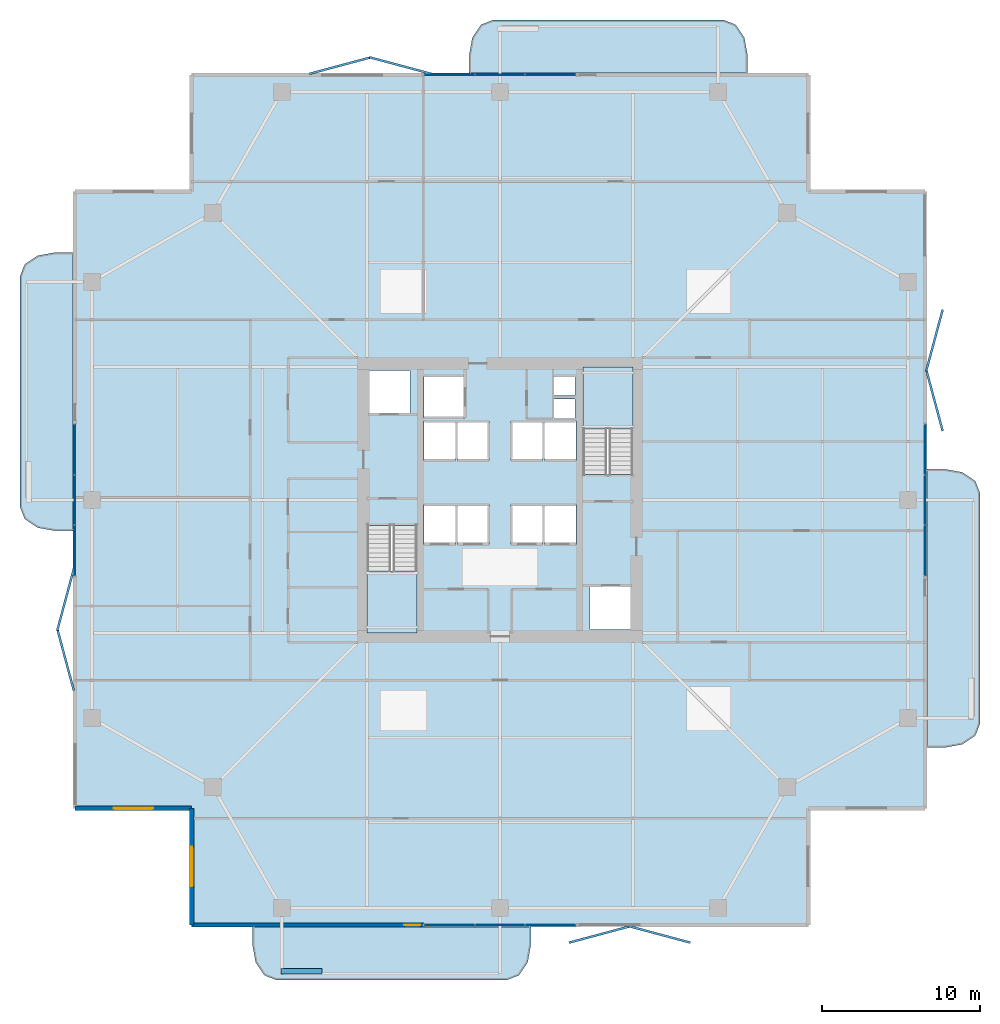
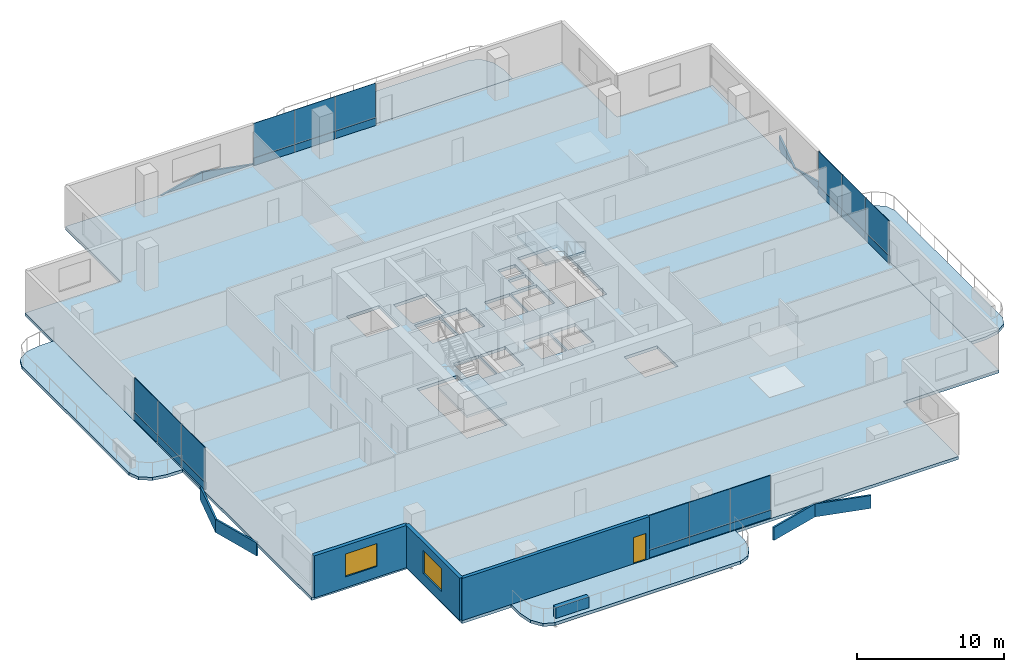
# One storey, part 16 of 24: 32 plates, 7 slabs, 4 walls, 2 windows, 1 door, 3 openings, 6 elements without a shape of their own.
"""IFC4 building model written with IfcOpenShell, lengths in metres."""

from ifc_helpers import new_model, si_unit, direction, frame, frame_2d, origin, origin_2d, place, context, subcontext, project, spatial, polyline, rectangle, outline, extrude, material, layer, layer_set, type_object, element, fill, aggregate, save


model = new_model("IFC4")

# Units and contexts
model_context = context("Model", 3, precision=1e-05, world=origin(), true_north=direction((0.0, 1.0)))
body_context = subcontext(model_context, "Body", "Model", "MODEL_VIEW")
ifc_project = project(units=[si_unit("LENGTHUNIT", "METRE"), si_unit("AREAUNIT", "SQUARE_METRE"), si_unit("VOLUMEUNIT", "CUBIC_METRE"), si_unit("PLANEANGLEUNIT", "RADIAN"), si_unit("MASSUNIT", "GRAM", prefix="KILO")], contexts=[model_context])

# Site, building, storey
site_placement = place(None, origin())
site = spatial("IfcSite", under=ifc_project, at=site_placement, CompositionType="ELEMENT")
building_placement = place(site_placement, origin())
building = spatial("IfcBuilding", under=site, at=building_placement, Name="Belovzor Exchange Tower", CompositionType="ELEMENT")
storey_placement = place(building_placement, frame((0.0, 0.0, 207.449951171875)))
storey = spatial("IfcBuildingStorey", under=building, at=storey_placement, Name="L51", CompositionType="ELEMENT", Elevation=207.449951171875)

# Slab
ifc_material_1 = material(Name="Concrete C40/50", Category="concrete")
ifc_layer_1 = layer(ifc_material_1, 0.25)
ifc_layer_set_1 = layer_set([ifc_layer_1], Name="Concrete C40/50")
slab_type_1 = type_object("IfcSlabType", Name="Composite Concrete Floor Deck Slab 250", PredefinedType="FLOOR", material=ifc_layer_set_1)
slab_1_placement = place(storey_placement, frame((0.0, 0.0, -0.25)))
element("IfcSlab", 1, at=slab_1_placement, inside=storey, type_object=slab_type_1, Name="SL-F250 Structural Slab L51", PredefinedType="FLOOR", context=body_context, shape_type="SweptSolid", body=[
    extrude(outline(polyline([(9.300048828125, 1.800048828125), (48.300048828125, 1.800048828125), (48.300048828125, 9.300048828125), (55.800048828125, 9.300048828125), (55.800048828125, 48.300048828125), (48.300048828125, 48.300048828125), (48.300048828125, 55.800048828125), (9.300048828125, 55.800048828125), (9.300048828125, 48.300048828125), (1.800048828125, 48.300048828125), (1.800048828125, 9.300048828125), (9.300048828125, 9.300048828125), (9.300048828125, 1.800048828125)]), holes=[polyline([(20.39990234375, 27.175048828125), (20.39990234375, 20.39990234375), (23.550048828125, 20.39990234375), (23.550048828125, 27.175048828125), (20.39990234375, 27.175048828125)]), polyline([(37.199951171875, 30.425048828125), (37.199951171875, 37.199951171875), (34.050048828125, 37.199951171875), (34.050048828125, 30.425048828125), (37.199951171875, 30.425048828125)]), polyline([(20.5, 34.199951171875), (23.10009765625, 34.199951171875), (23.10009765625, 37.0), (20.5, 37.0), (20.5, 34.199951171875)]), polyline([(34.5, 20.60009765625), (37.10009765625, 20.60009765625), (37.10009765625, 23.39990234375), (34.5, 23.39990234375), (34.5, 20.60009765625)]), polyline([(24.0, 34.0), (26.60009765625, 34.0), (26.60009765625, 36.60009765625), (24.0, 36.60009765625), (24.0, 34.0)]), polyline([(24.0, 26.0), (26.0, 26.0), (26.0, 28.5), (24.0, 28.5), (24.0, 26.0)]), polyline([(26.10009765625, 26.0), (28.10009765625, 26.0), (28.10009765625, 28.5), (26.10009765625, 28.5), (26.10009765625, 26.0)]), polyline([(29.5, 26.0), (31.5, 26.0), (31.5, 28.5), (29.5, 28.5), (29.5, 26.0)]), polyline([(31.60009765625, 26.0), (33.60009765625, 26.0), (33.60009765625, 28.5), (31.60009765625, 28.5), (31.60009765625, 26.0)]), polyline([(24.0, 31.300048828125), (26.0, 31.300048828125), (26.0, 33.800048828125), (24.0, 33.800048828125), (24.0, 31.300048828125)]), polyline([(26.10009765625, 31.300048828125), (28.10009765625, 31.300048828125), (28.10009765625, 33.800048828125), (26.10009765625, 33.800048828125), (26.10009765625, 31.300048828125)]), polyline([(29.5, 31.300048828125), (31.5, 31.300048828125), (31.5, 33.800048828125), (29.5, 33.800048828125), (29.5, 31.300048828125)]), polyline([(31.60009765625, 31.300048828125), (33.60009765625, 31.300048828125), (33.60009765625, 33.800048828125), (31.60009765625, 33.800048828125), (31.60009765625, 31.300048828125)]), polyline([(32.199951171875, 34.0), (33.550048828125, 34.0), (33.550048828125, 35.199951171875), (32.199951171875, 35.199951171875), (32.199951171875, 34.0)]), polyline([(32.199951171875, 35.39990234375), (33.550048828125, 35.39990234375), (33.550048828125, 36.60009765625), (32.199951171875, 36.60009765625), (32.199951171875, 35.39990234375)])]), origin(), (0.0, 0.0, 1.0), 0.25),
])

# Curtain wall, plates
ifc_material_2 = material(Name="Anodised Aluminium Framing", Category="aluminium")
ifc_layer_2 = layer(ifc_material_2, 0.179931640625)
ifc_layer_set_2 = layer_set([ifc_layer_2], Name="Anodised Aluminium Framing")
curtain_wall_type = type_object("IfcCurtainWallType", Name="Recessed Loggia Low-Iron Triple-Glazed Curtain Wall", PredefinedType="NOTDEFINED", material=ifc_layer_set_2)
curtain_wall_1_placement = place(storey_placement, origin())
curtain_wall_1 = element("IfcCurtainWall", 2, at=curtain_wall_1_placement, inside=storey, type_object=curtain_wall_type, Name="CW3 Recessed Loggia Low-Iron Triple-Glazed Curtain Wall L51", PredefinedType="NOTDEFINED")
ifc_material_3 = material(Name="Solar-Control Triple Glazing", Category="glass")
ifc_layer_3 = layer(ifc_material_3, 0.0439453125)
ifc_layer_set_3 = layer_set([ifc_layer_3], Name="Solar-Control Triple Glazing")
plate_type_1 = type_object("IfcPlateType", Name="Insulated Solar Glazing Curtain Panel 44", PredefinedType="CURTAIN_PANEL", material=ifc_layer_set_3)
plate_1_placement = place(storey_placement, frame((32.0, 1.929931640625, 0.63232421875), z_axis=(0.0, 0.0, 1.0), x_axis=(-1.0, 0.0, 0.0)))
plate_1 = element("IfcPlate", 3, at=plate_1_placement, type_object=plate_type_1, Name="GLZ-44 Glazed Curtain Panel 1", PredefinedType="CURTAIN_PANEL", context=body_context, shape_type="SweptSolid", body=[
    extrude(rectangle(XDim=3.18408203125, YDim=0.0439453125, at=origin_2d()), origin(), (0.0, 0.0, 1.0), 2.867919921875),
])
plate_2_placement = place(storey_placement, frame((28.800048828125, 1.929931640625, 0.63232421875), z_axis=(0.0, 0.0, 1.0), x_axis=(-1.0, 0.0, 0.0)))
plate_2 = element("IfcPlate", 4, at=plate_2_placement, type_object=plate_type_1, Name="GLZ-44 Glazed Curtain Panel 2", PredefinedType="CURTAIN_PANEL", context=body_context, shape_type="SweptSolid", body=[
    extrude(rectangle(XDim=3.18408203125, YDim=0.0439453125, at=origin_2d()), origin(), (0.0, 0.0, 1.0), 2.867919921875),
])
plate_3_placement = place(storey_placement, frame((25.60009765625, 1.929931640625, 0.63232421875), z_axis=(0.0, 0.0, 1.0), x_axis=(-1.0, 0.0, 0.0)))
plate_3 = element("IfcPlate", 5, at=plate_3_placement, type_object=plate_type_1, Name="GLZ-44 Glazed Curtain Panel 3", PredefinedType="CURTAIN_PANEL", context=body_context, shape_type="SweptSolid", body=[
    extrude(rectangle(XDim=3.18408203125, YDim=0.0439453125, at=origin_2d()), origin(), (0.0, 0.0, 1.0), 2.867919921875),
])

curtain_wall_2_placement = place(storey_placement, origin())
curtain_wall_2 = element("IfcCurtainWall", 6, at=curtain_wall_2_placement, inside=storey, type_object=curtain_wall_type, Name="CW3 Recessed Loggia Low-Iron Triple-Glazed Curtain Wall L51", PredefinedType="NOTDEFINED")
plate_4_placement = place(storey_placement, frame((25.60009765625, 55.669921875, 0.63232421875), z_axis=(0.0, 0.0, 1.0), x_axis=(1.0, 0.0, 0.0)))
plate_4 = element("IfcPlate", 7, at=plate_4_placement, type_object=plate_type_1, Name="GLZ-44 Glazed Curtain Panel 1", PredefinedType="CURTAIN_PANEL", context=body_context, shape_type="SweptSolid", body=[
    extrude(rectangle(XDim=3.18408203125, YDim=0.0439453125, at=origin_2d()), origin(), (0.0, 0.0, 1.0), 2.867919921875),
])
plate_5_placement = place(storey_placement, frame((28.800048828125, 55.669921875, 0.63232421875), z_axis=(0.0, 0.0, 1.0), x_axis=(1.0, 0.0, 0.0)))
plate_5 = element("IfcPlate", 8, at=plate_5_placement, type_object=plate_type_1, Name="GLZ-44 Glazed Curtain Panel 2", PredefinedType="CURTAIN_PANEL", context=body_context, shape_type="SweptSolid", body=[
    extrude(rectangle(XDim=3.18408203125, YDim=0.0439453125, at=origin_2d()), origin(), (0.0, 0.0, 1.0), 2.867919921875),
])
plate_6_placement = place(storey_placement, frame((32.0, 55.669921875, 0.63232421875), z_axis=(0.0, 0.0, 1.0), x_axis=(1.0, 0.0, 0.0)))
plate_6 = element("IfcPlate", 9, at=plate_6_placement, type_object=plate_type_1, Name="GLZ-44 Glazed Curtain Panel 3", PredefinedType="CURTAIN_PANEL", context=body_context, shape_type="SweptSolid", body=[
    extrude(rectangle(XDim=3.18408203125, YDim=0.0439453125, at=origin_2d()), origin(), (0.0, 0.0, 1.0), 2.867919921875),
])

curtain_wall_3_placement = place(storey_placement, origin())
curtain_wall_3 = element("IfcCurtainWall", 10, at=curtain_wall_3_placement, inside=storey, type_object=curtain_wall_type, Name="CW3 Recessed Loggia Low-Iron Triple-Glazed Curtain Wall L51", PredefinedType="NOTDEFINED")
plate_7_placement = place(storey_placement, frame((1.929931640625, 25.60009765625, 0.63232421875), z_axis=(0.0, 0.0, 1.0), x_axis=(0.0, 1.0, 0.0)))
plate_7 = element("IfcPlate", 11, at=plate_7_placement, type_object=plate_type_1, Name="GLZ-44 Glazed Curtain Panel 1", PredefinedType="CURTAIN_PANEL", context=body_context, shape_type="SweptSolid", body=[
    extrude(rectangle(XDim=3.18408203125, YDim=0.0439453125, at=origin_2d()), origin(), (0.0, 0.0, 1.0), 2.867919921875),
])
plate_8_placement = place(storey_placement, frame((1.929931640625, 28.800048828125, 0.63232421875), z_axis=(0.0, 0.0, 1.0), x_axis=(0.0, 1.0, 0.0)))
plate_8 = element("IfcPlate", 12, at=plate_8_placement, type_object=plate_type_1, Name="GLZ-44 Glazed Curtain Panel 2", PredefinedType="CURTAIN_PANEL", context=body_context, shape_type="SweptSolid", body=[
    extrude(rectangle(XDim=3.18408203125, YDim=0.0439453125, at=origin_2d()), origin(), (0.0, 0.0, 1.0), 2.867919921875),
])
plate_9_placement = place(storey_placement, frame((1.929931640625, 32.0, 0.63232421875), z_axis=(0.0, 0.0, 1.0), x_axis=(0.0, 1.0, 0.0)))
plate_9 = element("IfcPlate", 13, at=plate_9_placement, type_object=plate_type_1, Name="GLZ-44 Glazed Curtain Panel 3", PredefinedType="CURTAIN_PANEL", context=body_context, shape_type="SweptSolid", body=[
    extrude(rectangle(XDim=3.18408203125, YDim=0.0439453125, at=origin_2d()), origin(), (0.0, 0.0, 1.0), 2.867919921875),
])

curtain_wall_4_placement = place(storey_placement, origin())
curtain_wall_4 = element("IfcCurtainWall", 14, at=curtain_wall_4_placement, inside=storey, type_object=curtain_wall_type, Name="CW3 Recessed Loggia Low-Iron Triple-Glazed Curtain Wall L51", PredefinedType="NOTDEFINED")
plate_10_placement = place(storey_placement, frame((55.669921875, 32.0, 0.63232421875), z_axis=(0.0, 0.0, 1.0), x_axis=(0.0, -1.0, 0.0)))
plate_10 = element("IfcPlate", 15, at=plate_10_placement, type_object=plate_type_1, Name="GLZ-44 Glazed Curtain Panel 1", PredefinedType="CURTAIN_PANEL", context=body_context, shape_type="SweptSolid", body=[
    extrude(rectangle(XDim=3.18408203125, YDim=0.0439453125, at=origin_2d()), origin(), (0.0, 0.0, 1.0), 2.867919921875),
])
plate_11_placement = place(storey_placement, frame((55.669921875, 28.800048828125, 0.63232421875), z_axis=(0.0, 0.0, 1.0), x_axis=(0.0, -1.0, 0.0)))
plate_11 = element("IfcPlate", 16, at=plate_11_placement, type_object=plate_type_1, Name="GLZ-44 Glazed Curtain Panel 2", PredefinedType="CURTAIN_PANEL", context=body_context, shape_type="SweptSolid", body=[
    extrude(rectangle(XDim=3.18408203125, YDim=0.0439453125, at=origin_2d()), origin(), (0.0, 0.0, 1.0), 2.867919921875),
])
plate_12_placement = place(storey_placement, frame((55.669921875, 25.60009765625, 0.63232421875), z_axis=(0.0, 0.0, 1.0), x_axis=(0.0, -1.0, 0.0)))
plate_12 = element("IfcPlate", 17, at=plate_12_placement, type_object=plate_type_1, Name="GLZ-44 Glazed Curtain Panel 3", PredefinedType="CURTAIN_PANEL", context=body_context, shape_type="SweptSolid", body=[
    extrude(rectangle(XDim=3.18408203125, YDim=0.0439453125, at=origin_2d()), origin(), (0.0, 0.0, 1.0), 2.867919921875),
])

# Plates
ifc_material_4 = material(Name="Extruded Architectural Terracotta", Category="masonry")
ifc_layer_4 = layer(ifc_material_4, 0.139892578125)
ifc_layer_set_4 = layer_set([ifc_layer_4], Name="Extruded Architectural Terracotta")
plate_type_2 = type_object("IfcPlateType", Name="Mid-Tower Folded Zigzag Terracotta Spandrel Louvre 120", PredefinedType="USERDEFINED", material=ifc_layer_set_4)
for number, where, z_axis, x_axis, name in (
    (18, (18.699951171875, 56.27001953125, -1.06494140625), (0.0, 0.0, 1.0), (0.965812803231, 0.259240485101, 0.0), "LVR-ZZ2 Zigzag Terracotta Spandrel Louvre L51 N1A"),
    (19, (22.5, 56.27001953125, -1.06494140625), (0.0, 0.0, 1.0), (0.965812803231, -0.259240485101, 0.0), "LVR-ZZ2 Zigzag Terracotta Spandrel Louvre L51 N1B"),
    (20, (1.330078125, 18.699951171875, -1.06494140625), (0.0, 0.0, 1.0), (-0.259240485101, 0.965812803231, 0.0), "LVR-ZZ2 Zigzag Terracotta Spandrel Louvre L51 W1A"),
    (21, (1.330078125, 22.5, -1.06494140625), (0.0, 0.0, 1.0), (0.259240485101, 0.965812803231, 0.0), "LVR-ZZ2 Zigzag Terracotta Spandrel Louvre L51 W1B"),
    (22, (35.10009765625, 1.330078125, -1.06494140625), (0.0, 0.0, 1.0), (0.965812803231, 0.259240485101, 0.0), "LVR-ZZ2 Zigzag Terracotta Spandrel Louvre L51 S2A"),
    (23, (38.89990234375, 1.330078125, -1.06494140625), (0.0, 0.0, 1.0), (0.965812803231, -0.259240485101, 0.0), "LVR-ZZ2 Zigzag Terracotta Spandrel Louvre L51 S2B"),
    (24, (56.27001953125, 35.10009765625, -1.06494140625), (0.0, 0.0, 1.0), (-0.259240485101, 0.965812803231, 0.0), "LVR-ZZ2 Zigzag Terracotta Spandrel Louvre L51 E2A"),
    (25, (56.27001953125, 38.89990234375, -1.06494140625), (0.0, 0.0, 1.0), (0.259240485101, 0.965812803231, 0.0), "LVR-ZZ2 Zigzag Terracotta Spandrel Louvre L51 E2B"),
):
    element("IfcPlate", number, at=place(storey_placement, frame(where, z_axis=z_axis, x_axis=x_axis)), inside=storey, type_object=plate_type_2, Name=name, ObjectType="SPANDREL_LOUVRE", PredefinedType="USERDEFINED", context=body_context, shape_type="SweptSolid", body=[
        extrude(rectangle(XDim=4.014892578125, YDim=0.139892578125, at=origin_2d()), origin(), (0.0, 0.0, 1.0), 1.080078125),
    ])

# Stair, slab
ifc_material_5 = material(Name="Concrete C40/50", Category="concrete")
stair_type = type_object("IfcStairType", Name="Reinforced Concrete Dogleg Escape Stair 1350", PredefinedType="HALF_TURN_STAIR", material=ifc_material_5)
stair_1_placement = place(storey_placement, origin())
stair_1 = element("IfcStair", 26, at=stair_1_placement, inside=storey, type_object=stair_type, Name="L51 ST-1", PredefinedType="HALF_TURN_STAIR")
ifc_material_6 = material(Name="Concrete C40/50", Category="concrete")
ifc_layer_5 = layer(ifc_material_6, 0.199951171875)
ifc_layer_set_5 = layer_set([ifc_layer_5], Name="Concrete C40/50")
slab_type_2 = type_object("IfcSlabType", Name="Reinforced Concrete Stair Half-Landing Slab 200", PredefinedType="LANDING", material=ifc_layer_set_5)
slab_2_placement = place(storey_placement, frame((0.0, 0.0, 1.675048828125)))
slab_2 = element("IfcSlab", 27, at=slab_2_placement, type_object=slab_type_2, Name="ST-1 landing 1", PredefinedType="LANDING", context=body_context, shape_type="SweptSolid", body=[
    extrude(outline(polyline([(20.39990234375, 24.300048828125), (20.39990234375, 20.39990234375), (23.550048828125, 20.39990234375), (23.550048828125, 24.300048828125), (20.39990234375, 24.300048828125)])), origin(), (0.0, 0.0, 1.0), 0.199951171875),
])
aggregate(stair_1, [slab_2])

stair_2_placement = place(storey_placement, origin())
stair_2 = element("IfcStair", 28, at=stair_2_placement, inside=storey, type_object=stair_type, Name="L51 ST-2", PredefinedType="HALF_TURN_STAIR")
slab_3_placement = place(storey_placement, frame((0.0, 0.0, 1.675048828125)))
slab_3 = element("IfcSlab", 29, at=slab_3_placement, type_object=slab_type_2, Name="ST-2 landing 1", PredefinedType="LANDING", context=body_context, shape_type="SweptSolid", body=[
    extrude(outline(polyline([(37.199951171875, 33.300048828125), (37.199951171875, 37.199951171875), (34.050048828125, 37.199951171875), (34.050048828125, 33.300048828125), (37.199951171875, 33.300048828125)])), origin(), (0.0, 0.0, 1.0), 0.199951171875),
])
aggregate(stair_2, [slab_3])

# Plate
ifc_material_7 = material(Name="Extruded Architectural Terracotta", Category="masonry")
ifc_layer_6 = layer(ifc_material_7, 0.090087890625)
ifc_layer_set_6 = layer_set([ifc_layer_6], Name="Extruded Architectural Terracotta")
plate_type_3 = type_object("IfcPlateType", Name="Terracotta Shadow-Box Spandrel Panel 90", PredefinedType="CURTAIN_PANEL", material=ifc_layer_set_6)
plate_13_placement = place(storey_placement, frame((32.0, 1.929931640625, 0.0), z_axis=(0.0, 0.0, 1.0), x_axis=(-1.0, 0.0, 0.0)))
plate_13 = element("IfcPlate", 30, at=plate_13_placement, type_object=plate_type_3, Name="SPD-90 Spandrel Panel 1", PredefinedType="CURTAIN_PANEL", context=body_context, shape_type="SweptSolid", body=[
    extrude(rectangle(XDim=3.18408203125, YDim=0.090087890625, at=origin_2d()), origin(), (0.0, 0.0, 1.0), 0.6279296875),
])

plate_14_placement = place(storey_placement, frame((28.800048828125, 1.929931640625, 0.0), z_axis=(0.0, 0.0, 1.0), x_axis=(-1.0, 0.0, 0.0)))
plate_14 = element("IfcPlate", 31, at=plate_14_placement, type_object=plate_type_3, Name="SPD-90 Spandrel Panel 2", PredefinedType="CURTAIN_PANEL", context=body_context, shape_type="SweptSolid", body=[
    extrude(rectangle(XDim=3.18408203125, YDim=0.090087890625, at=origin_2d()), origin(), (0.0, 0.0, 1.0), 0.6279296875),
])

plate_15_placement = place(storey_placement, frame((25.60009765625, 1.929931640625, 0.0), z_axis=(0.0, 0.0, 1.0), x_axis=(-1.0, 0.0, 0.0)))
plate_15 = element("IfcPlate", 32, at=plate_15_placement, type_object=plate_type_3, Name="SPD-90 Spandrel Panel 3", PredefinedType="CURTAIN_PANEL", context=body_context, shape_type="SweptSolid", body=[
    extrude(rectangle(XDim=3.18408203125, YDim=0.090087890625, at=origin_2d()), origin(), (0.0, 0.0, 1.0), 0.6279296875),
])

aggregate(curtain_wall_1, [plate_13, plate_1, plate_14, plate_2, plate_15, plate_3])

plate_16_placement = place(storey_placement, frame((25.60009765625, 55.669921875, 0.0), z_axis=(0.0, 0.0, 1.0), x_axis=(1.0, 0.0, 0.0)))
plate_16 = element("IfcPlate", 33, at=plate_16_placement, type_object=plate_type_3, Name="SPD-90 Spandrel Panel 1", PredefinedType="CURTAIN_PANEL", context=body_context, shape_type="SweptSolid", body=[
    extrude(rectangle(XDim=3.18408203125, YDim=0.090087890625, at=origin_2d()), origin(), (0.0, 0.0, 1.0), 0.6279296875),
])

plate_17_placement = place(storey_placement, frame((28.800048828125, 55.669921875, 0.0), z_axis=(0.0, 0.0, 1.0), x_axis=(1.0, 0.0, 0.0)))
plate_17 = element("IfcPlate", 34, at=plate_17_placement, type_object=plate_type_3, Name="SPD-90 Spandrel Panel 2", PredefinedType="CURTAIN_PANEL", context=body_context, shape_type="SweptSolid", body=[
    extrude(rectangle(XDim=3.18408203125, YDim=0.090087890625, at=origin_2d()), origin(), (0.0, 0.0, 1.0), 0.6279296875),
])

plate_18_placement = place(storey_placement, frame((32.0, 55.669921875, 0.0), z_axis=(0.0, 0.0, 1.0), x_axis=(1.0, 0.0, 0.0)))
plate_18 = element("IfcPlate", 35, at=plate_18_placement, type_object=plate_type_3, Name="SPD-90 Spandrel Panel 3", PredefinedType="CURTAIN_PANEL", context=body_context, shape_type="SweptSolid", body=[
    extrude(rectangle(XDim=3.18408203125, YDim=0.090087890625, at=origin_2d()), origin(), (0.0, 0.0, 1.0), 0.6279296875),
])

aggregate(curtain_wall_2, [plate_16, plate_4, plate_17, plate_5, plate_18, plate_6])

plate_19_placement = place(storey_placement, frame((1.929931640625, 25.60009765625, 0.0), z_axis=(0.0, 0.0, 1.0), x_axis=(0.0, 1.0, 0.0)))
plate_19 = element("IfcPlate", 36, at=plate_19_placement, type_object=plate_type_3, Name="SPD-90 Spandrel Panel 1", PredefinedType="CURTAIN_PANEL", context=body_context, shape_type="SweptSolid", body=[
    extrude(rectangle(XDim=3.18408203125, YDim=0.090087890625, at=origin_2d()), origin(), (0.0, 0.0, 1.0), 0.6279296875),
])

plate_20_placement = place(storey_placement, frame((1.929931640625, 28.800048828125, 0.0), z_axis=(0.0, 0.0, 1.0), x_axis=(0.0, 1.0, 0.0)))
plate_20 = element("IfcPlate", 37, at=plate_20_placement, type_object=plate_type_3, Name="SPD-90 Spandrel Panel 2", PredefinedType="CURTAIN_PANEL", context=body_context, shape_type="SweptSolid", body=[
    extrude(rectangle(XDim=3.18408203125, YDim=0.090087890625, at=origin_2d()), origin(), (0.0, 0.0, 1.0), 0.6279296875),
])

plate_21_placement = place(storey_placement, frame((1.929931640625, 32.0, 0.0), z_axis=(0.0, 0.0, 1.0), x_axis=(0.0, 1.0, 0.0)))
plate_21 = element("IfcPlate", 38, at=plate_21_placement, type_object=plate_type_3, Name="SPD-90 Spandrel Panel 3", PredefinedType="CURTAIN_PANEL", context=body_context, shape_type="SweptSolid", body=[
    extrude(rectangle(XDim=3.18408203125, YDim=0.090087890625, at=origin_2d()), origin(), (0.0, 0.0, 1.0), 0.6279296875),
])

aggregate(curtain_wall_3, [plate_19, plate_7, plate_20, plate_8, plate_21, plate_9])

plate_22_placement = place(storey_placement, frame((55.669921875, 32.0, 0.0), z_axis=(0.0, 0.0, 1.0), x_axis=(0.0, -1.0, 0.0)))
plate_22 = element("IfcPlate", 39, at=plate_22_placement, type_object=plate_type_3, Name="SPD-90 Spandrel Panel 1", PredefinedType="CURTAIN_PANEL", context=body_context, shape_type="SweptSolid", body=[
    extrude(rectangle(XDim=3.18408203125, YDim=0.090087890625, at=origin_2d()), origin(), (0.0, 0.0, 1.0), 0.6279296875),
])

plate_23_placement = place(storey_placement, frame((55.669921875, 28.800048828125, 0.0), z_axis=(0.0, 0.0, 1.0), x_axis=(0.0, -1.0, 0.0)))
plate_23 = element("IfcPlate", 40, at=plate_23_placement, type_object=plate_type_3, Name="SPD-90 Spandrel Panel 2", PredefinedType="CURTAIN_PANEL", context=body_context, shape_type="SweptSolid", body=[
    extrude(rectangle(XDim=3.18408203125, YDim=0.090087890625, at=origin_2d()), origin(), (0.0, 0.0, 1.0), 0.6279296875),
])

plate_24_placement = place(storey_placement, frame((55.669921875, 25.60009765625, 0.0), z_axis=(0.0, 0.0, 1.0), x_axis=(0.0, -1.0, 0.0)))
plate_24 = element("IfcPlate", 41, at=plate_24_placement, type_object=plate_type_3, Name="SPD-90 Spandrel Panel 3", PredefinedType="CURTAIN_PANEL", context=body_context, shape_type="SweptSolid", body=[
    extrude(rectangle(XDim=3.18408203125, YDim=0.090087890625, at=origin_2d()), origin(), (0.0, 0.0, 1.0), 0.6279296875),
])

aggregate(curtain_wall_4, [plate_22, plate_10, plate_23, plate_11, plate_24, plate_12])

# Slabs
ifc_material_8 = material(Name="Concrete C40/50", Category="concrete")
ifc_layer_7 = layer(ifc_material_8, 0.25)
ifc_layer_set_7 = layer_set([ifc_layer_7], Name="Concrete C40/50")
slab_type_3 = type_object("IfcSlabType", Name="Thermally Broken Planted Balcony Slab 250", PredefinedType="FLOOR", material=ifc_layer_set_7)
slab_4_placement = place(storey_placement, frame((0.0, 0.0, -0.25)))
element("IfcSlab", 42, at=slab_4_placement, inside=storey, type_object=slab_type_3, Name="SL-BAL220 Planted Balcony Loggia L51 South", PredefinedType="FLOOR", context=body_context, shape_type="SweptSolid", body=[
    extrude(outline(polyline([(13.14990234375, 1.81494140625), (13.14990234375, 0.64990234375), (13.35107421875, -0.449951171875), (13.89990234375, -1.2548828125), (14.64990234375, -1.550048828125), (29.25, -1.550048828125), (30.0, -1.2548828125), (30.549072265625, -0.449951171875), (30.75, 0.64990234375), (30.75, 1.81494140625), (13.14990234375, 1.81494140625)])), origin(), (0.0, 0.0, 1.0), 0.25),
])
slab_5_placement = place(storey_placement, frame((0.0, 0.0, -0.25)))
element("IfcSlab", 43, at=slab_5_placement, inside=storey, type_object=slab_type_3, Name="SL-BAL220 Planted Balcony Loggia L51 North", PredefinedType="FLOOR", context=body_context, shape_type="SweptSolid", body=[
    extrude(outline(polyline([(44.449951171875, 55.784912109375), (44.449951171875, 56.949951171875), (44.2490234375, 58.050048828125), (43.699951171875, 58.85498046875), (42.949951171875, 59.14990234375), (28.35009765625, 59.14990234375), (27.60009765625, 58.85498046875), (27.051025390625, 58.050048828125), (26.85009765625, 56.949951171875), (26.85009765625, 55.784912109375), (44.449951171875, 55.784912109375)])), origin(), (0.0, 0.0, 1.0), 0.25),
])
slab_6_placement = place(storey_placement, frame((0.0, 0.0, -0.25)))
element("IfcSlab", 44, at=slab_6_placement, inside=storey, type_object=slab_type_3, Name="SL-BAL220 Planted Balcony Loggia L51 East", PredefinedType="FLOOR", context=body_context, shape_type="SweptSolid", body=[
    extrude(outline(polyline([(55.784912109375, 13.14990234375), (56.949951171875, 13.14990234375), (58.050048828125, 13.35107421875), (58.85498046875, 13.89990234375), (59.14990234375, 14.64990234375), (59.14990234375, 29.25), (58.85498046875, 30.0), (58.050048828125, 30.549072265625), (56.949951171875, 30.75), (55.784912109375, 30.75), (55.784912109375, 13.14990234375)])), origin(), (0.0, 0.0, 1.0), 0.25),
])
slab_7_placement = place(storey_placement, frame((0.0, 0.0, -0.25)))
element("IfcSlab", 45, at=slab_7_placement, inside=storey, type_object=slab_type_3, Name="SL-BAL220 Planted Balcony Loggia L51 West", PredefinedType="FLOOR", context=body_context, shape_type="SweptSolid", body=[
    extrude(outline(polyline([(1.81494140625, 44.449951171875), (0.64990234375, 44.449951171875), (-0.449951171875, 44.2490234375), (-1.2548828125, 43.699951171875), (-1.550048828125, 42.949951171875), (-1.550048828125, 28.35009765625), (-1.2548828125, 27.60009765625), (-0.449951171875, 27.051025390625), (0.64990234375, 26.85009765625), (1.81494140625, 26.85009765625), (1.81494140625, 44.449951171875)])), origin(), (0.0, 0.0, 1.0), 0.25),
])

# Wall, opening, window
ifc_material_9 = material(Name="Precast concrete C40/50", Category="concrete")
ifc_layer_8 = layer(ifc_material_9, 0.280029296875)
ifc_layer_set_8 = layer_set([ifc_layer_8], Name="Precast concrete C40/50")
wall_type_1 = type_object("IfcWallType", Name="Precast Concrete Notched Corner Frame Wall 280", PredefinedType="SOLIDWALL", material=ifc_layer_set_8)
wall_1_placement = place(storey_placement, frame((9.300048828125, 1.929931640625, 0.0), z_axis=(0.0, 0.0, 1.0), x_axis=(0.0, 1.0, 0.0)))
wall_1 = element("IfcWall", 46, at=wall_1_placement, inside=storey, type_object=wall_type_1, Name="W-CRN280 Precast Concrete Notched Corner Frame Wall 280 L51", PredefinedType="SOLIDWALL", context=body_context, shape_type="SweptSolid", body=[
    extrude(rectangle(XDim=7.3701171875, YDim=0.280029296875, at=frame_2d((3.68505859375, 0.0))), origin(), (0.0, 0.0, 1.0), 3.5),
])
opening_1_placement = place(wall_1_placement, frame((2.43505859375, 0.0, 0.89990234375)))
opening_1 = element("IfcOpeningElement", 47, at=opening_1_placement, cuts=wall_1, Name="Opening WN-CRN250", PredefinedType="OPENING", context=body_context, shape_type="SweptSolid", body=[
    extrude(rectangle(XDim=2.5, YDim=1.89990234375, at=frame_2d((1.25, 0.949951171875))), frame((0.0, 0.14990234375, 0.0), z_axis=(0.0, -1.0, 0.0), x_axis=(1.0, 0.0, 0.0)), (0.0, 0.0, 1.0), 0.300048828125),
])
ifc_material_10 = material(Name="Thermally Broken Aluminium and Triple Glazing", Category="aluminium")
window_type = type_object("IfcWindowType", Name="Streamline Moderne Corner Wrap Ribbon Window 2500x1900", PartitioningType="SINGLE_PANEL", PredefinedType="WINDOW", material=ifc_material_10)
window_1_placement = place(opening_1_placement, origin())
window_1 = element("IfcWindow", 48, at=window_1_placement, inside=storey, type_object=window_type, Name="WN-CRN250 Streamline Moderne Corner Wrap Ribbon Window 2500x1900", OverallHeight=1.89990234375, OverallWidth=2.5, PartitioningType="SINGLE_PANEL", PredefinedType="WINDOW", context=body_context, shape_type="SweptSolid", body=[
    extrude(rectangle(XDim=2.5, YDim=1.89990234375, at=frame_2d((1.25, 0.949951171875))), frame((0.0, 0.030029296875, 0.0), z_axis=(0.0, -1.0, 0.0), x_axis=(1.0, 0.0, 0.0)), (0.0, 0.0, 1.0), 0.06005859375),
])
fill(opening_1, window_1)

wall_2_placement = place(storey_placement, frame((9.300048828125, 9.300048828125, 0.0), z_axis=(0.0, 0.0, 1.0), x_axis=(-1.0, 0.0, 0.0)))
wall_2 = element("IfcWall", 49, at=wall_2_placement, inside=storey, type_object=wall_type_1, Name="W-CRN280 Precast Concrete Notched Corner Frame Wall 280 L51", PredefinedType="SOLIDWALL", context=body_context, shape_type="SweptSolid", body=[
    extrude(rectangle(XDim=7.3701171875, YDim=0.280029296875, at=frame_2d((3.68505859375, 0.0))), origin(), (0.0, 0.0, 1.0), 3.5),
])
opening_2_placement = place(wall_2_placement, frame((2.43505859375, 0.0, 0.89990234375)))
opening_2 = element("IfcOpeningElement", 50, at=opening_2_placement, cuts=wall_2, Name="Opening WN-CRN250", PredefinedType="OPENING", context=body_context, shape_type="SweptSolid", body=[
    extrude(rectangle(XDim=2.5, YDim=1.89990234375, at=frame_2d((1.25, 0.949951171875))), frame((0.0, 0.14990234375, 0.0), z_axis=(0.0, -1.0, 0.0), x_axis=(1.0, 0.0, 0.0)), (0.0, 0.0, 1.0), 0.300048828125),
])
window_2_placement = place(opening_2_placement, origin())
window_2 = element("IfcWindow", 51, at=window_2_placement, inside=storey, type_object=window_type, Name="WN-CRN250 Streamline Moderne Corner Wrap Ribbon Window 2500x1900", OverallHeight=1.89990234375, OverallWidth=2.5, PartitioningType="SINGLE_PANEL", PredefinedType="WINDOW", context=body_context, shape_type="SweptSolid", body=[
    extrude(rectangle(XDim=2.5, YDim=1.89990234375, at=frame_2d((1.25, 0.949951171875))), frame((0.0, 0.030029296875, 0.0), z_axis=(0.0, -1.0, 0.0), x_axis=(1.0, 0.0, 0.0)), (0.0, 0.0, 1.0), 0.06005859375),
])
fill(opening_2, window_2)

# Wall, opening, door
ifc_material_11 = material(Name="Precast concrete C40/50", Category="concrete")
ifc_layer_9 = layer(ifc_material_11, 0.260009765625)
ifc_layer_set_9 = layer_set([ifc_layer_9], Name="Precast concrete C40/50")
wall_type_2 = type_object("IfcWallType", Name="Precast Concrete Perimeter Loggia Frame Wall 260", PredefinedType="SOLIDWALL", material=ifc_layer_set_9)
wall_3_placement = place(storey_placement, frame((24.0, 1.929931640625, 0.0), z_axis=(0.0, 0.0, 1.0), x_axis=(-1.0, 0.0, 0.0)))
wall_3 = element("IfcWall", 52, at=wall_3_placement, inside=storey, type_object=wall_type_2, Name="W-EXT260 Precast Concrete Perimeter Loggia Frame Wall 260 L51", PredefinedType="SOLIDWALL", context=body_context, shape_type="SweptSolid", body=[
    extrude(rectangle(XDim=14.699951171875, YDim=0.260009765625, at=frame_2d((7.35009765625, 0.0))), origin(), (0.0, 0.0, 1.0), 3.5),
])
opening_3_placement = place(wall_3_placement, frame((0.25, 0.0, 0.0)))
opening_3 = element("IfcOpeningElement", 53, at=opening_3_placement, cuts=wall_3, Name="Opening D-BAL100", PredefinedType="OPENING", context=body_context, shape_type="SweptSolid", body=[
    extrude(rectangle(XDim=1.0, YDim=2.199951171875, at=frame_2d((0.5, 1.10009765625))), frame((0.0, 0.139892578125, 0.0), z_axis=(0.0, -1.0, 0.0), x_axis=(1.0, 0.0, 0.0)), (0.0, 0.0, 1.0), 0.280029296875),
])
ifc_material_12 = material(Name="Thermally Broken Anodised Aluminium and Laminated Glass", Category="aluminium")
door_type = type_object("IfcDoorType", Name="Planted Loggia Terrace Glazed Door 1000x2200", OperationType="SINGLE_SWING_LEFT", PredefinedType="DOOR", material=ifc_material_12)
door_placement = place(opening_3_placement, origin())
door = element("IfcDoor", 54, at=door_placement, inside=storey, type_object=door_type, Name="D-BAL100 Balcony Terrace Door L51 S", OperationType="SINGLE_SWING_LEFT", OverallHeight=2.199951171875, OverallWidth=1.0, PredefinedType="DOOR", context=body_context, shape_type="SweptSolid", body=[
    extrude(rectangle(XDim=1.0, YDim=2.199951171875, at=frame_2d((0.5, 1.10009765625))), frame((0.0, 0.02490234375, 0.0), z_axis=(0.0, -1.0, 0.0), x_axis=(1.0, 0.0, 0.0)), (0.0, 0.0, 1.0), 0.050048828125),
])
fill(opening_3, door)

# Wall
ifc_material_13 = material(Name="Precast concrete C40/50", Category="concrete")
ifc_layer_10 = layer(ifc_material_13, 0.35009765625)
ifc_layer_set_10 = layer_set([ifc_layer_10], Name="Precast concrete C40/50")
wall_type_3 = type_object("IfcWallType", Name="Precast Concrete Structural Tree Planter Trough 350", PredefinedType="PARAPET", material=ifc_layer_set_10)
wall_4_placement = place(storey_placement, frame((14.949951171875, -1.0, 0.0), z_axis=(0.0, 0.0, 1.0), x_axis=(1.0, 0.0, 0.0)))
element("IfcWall", 55, at=wall_4_placement, inside=storey, type_object=wall_type_3, Name="PT-350 Precast Concrete Structural Tree Planter Trough 350 L51", PredefinedType="PARAPET", context=body_context, shape_type="SweptSolid", body=[
    extrude(rectangle(XDim=2.60009765625, YDim=0.35009765625, at=frame_2d((1.300048828125, 0.0))), origin(), (0.0, 0.0, 1.0), 0.900146484375),
])

save(model, "model.ifc")
